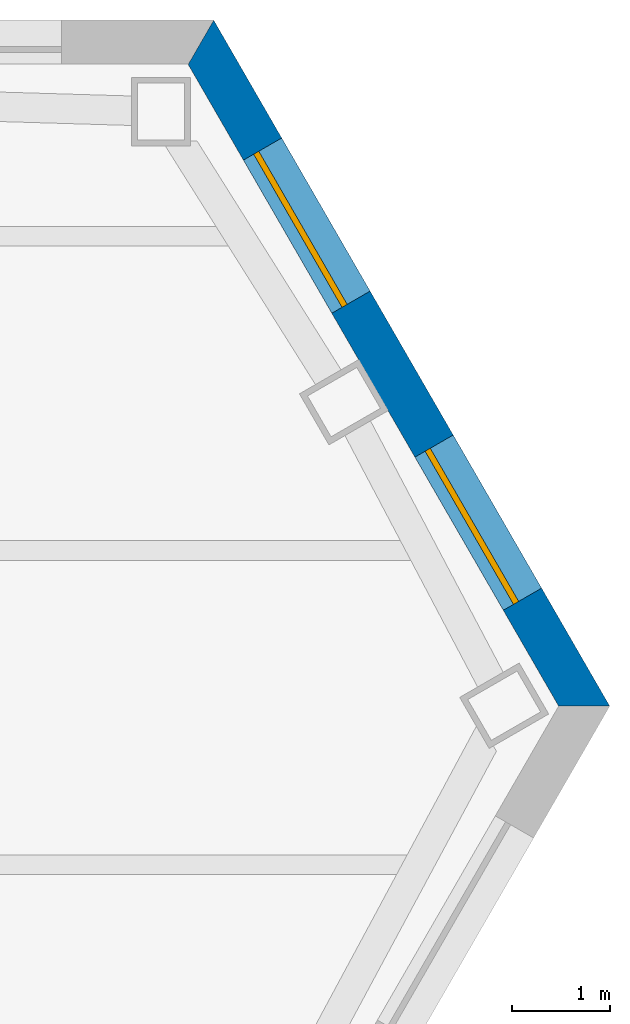
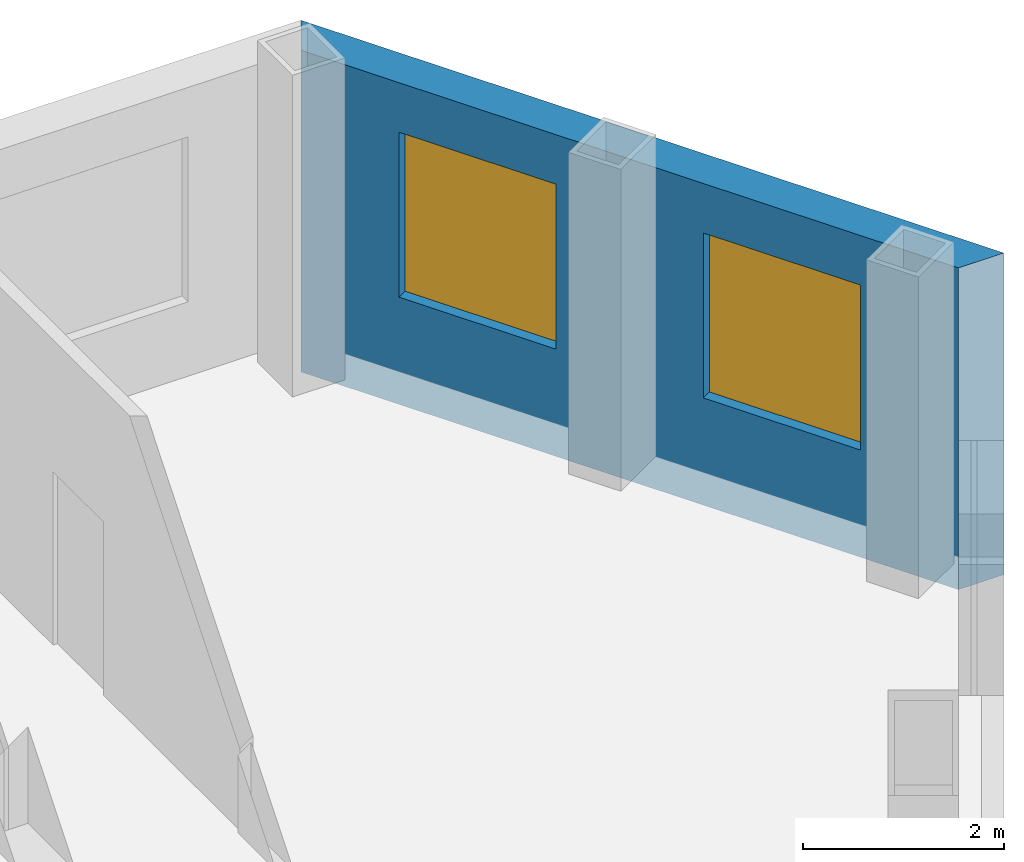
# One storey, part 8 of 11: 2 windows, 1 wall, 2 openings.
"""IFC4 building model written with IfcOpenShell, lengths in metres."""

import ifcopenshell
import ifcopenshell.guid

model = None  # the IFC model being written
_history = None  # IfcOwnerHistory: only IFC2X3 demands one
_inside = {}  # id of a spatial element -> (the spatial element, [elements in it])
_under = {}  # id of a project, library or spatial element -> (it, [spatial elements below it])
_declared = {}  # id of a project -> (the project, [libraries it declares])
_typed = {}  # id of a type object -> (the type object, [elements of that type])
_made_of = {}  # id of a material, layer set ... -> (it, [elements and type objects made of it])


def new_model(schema):
    """Start an empty IFC model of exactly this schema.

    Asked for "IFC4X3", IfcOpenShell would pick the latest addendum, in which some entities
    have other attributes; the version numbers below select the first issue.
    IFC2X3 requires an IfcOwnerHistory on every rooted entity: one is made here for all.
    """
    global model, _history
    if schema == "IFC4X3":
        model = ifcopenshell.file(schema_version=(4, 3, 0, 0))
    else:
        model = ifcopenshell.file(schema=schema)
    _inside.clear()
    _under.clear()
    _declared.clear()
    _typed.clear()
    _made_of.clear()
    _history = None
    if model.schema == "IFC2X3":
        org = make("IfcOrganization", Name="unknown")
        user = make(
            "IfcPersonAndOrganization",
            ThePerson=make("IfcPerson", FamilyName="unknown"),
            TheOrganization=org,
        )
        app = make(
            "IfcApplication",
            ApplicationDeveloper=org,
            Version="unknown",
            ApplicationFullName="unknown",
            ApplicationIdentifier="unknown",
        )
        _history = make(
            "IfcOwnerHistory",
            OwningUser=user,
            OwningApplication=app,
            ChangeAction="ADDED",
            CreationDate=0,
        )
    return model


def make(cls, **values):
    """One entity of the class cls with the attributes given. An attribute that is None is left unset."""
    return model.create_entity(
        cls, **{name: value for name, value in values.items() if value is not None}
    )


def rooted(cls, **values):
    """An entity with a GlobalId (a new one), such as an element, a storey or a relation."""
    return make(cls, GlobalId=ifcopenshell.guid.new(), OwnerHistory=_history, **values)


def si_unit(unit_type, name, prefix=None):
    """IfcSIUnit, for example si_unit("LENGTHUNIT", "METRE", prefix="MILLI")."""
    return make("IfcSIUnit", UnitType=unit_type, Prefix=prefix, Name=name)


def assignment(units):
    """IfcUnitAssignment: the units of a project."""
    return None if units is None else make("IfcUnitAssignment", Units=units)


def point(xyz):
    """IfcCartesianPoint."""
    return None if xyz is None else make("IfcCartesianPoint", Coordinates=xyz)


def direction(xyz):
    """IfcDirection."""
    return None if xyz is None else make("IfcDirection", DirectionRatios=xyz)


def frame(location, z_axis=None, x_axis=None):
    """IfcAxis2Placement3D, a coordinate frame: its origin and axes. An axis left out is left unset."""
    return make(
        "IfcAxis2Placement3D",
        Location=point(location),
        Axis=direction(z_axis),
        RefDirection=direction(x_axis),
    )


def frame_2d(location, x_axis=None):
    """IfcAxis2Placement2D, a coordinate frame in the plane: its origin and x axis."""
    return make(
        "IfcAxis2Placement2D", Location=point(location), RefDirection=direction(x_axis)
    )


def origin():
    """The frame at (0, 0, 0) with its axes left unset."""
    return frame((0.0, 0.0, 0.0))


def place(relative_to, where):
    """IfcLocalPlacement: puts the frame where relative to a parent placement (None: the world)."""
    return make(
        "IfcLocalPlacement", PlacementRelTo=relative_to, RelativePlacement=where
    )


def context(
    kind, dimensions, precision=None, world=None, true_north=None, identifier=None
):
    """IfcGeometricRepresentationContext, for example the 3D "Model" context."""
    return make(
        "IfcGeometricRepresentationContext",
        ContextIdentifier=identifier,
        ContextType=kind,
        CoordinateSpaceDimension=dimensions,
        Precision=precision,
        WorldCoordinateSystem=world,
        TrueNorth=true_north,
    )


def subcontext(parent, identifier, kind, view, scale=None):
    """IfcGeometricRepresentationSubContext, for example "Body" below "Model"."""
    return make(
        "IfcGeometricRepresentationSubContext",
        ContextIdentifier=identifier,
        ContextType=kind,
        ParentContext=parent,
        TargetScale=scale,
        TargetView=view,
    )


def project(units=None, contexts=None):
    """IfcProject with its units and contexts."""
    return rooted(
        "IfcProject",
        Name="project",
        RepresentationContexts=contexts,
        UnitsInContext=assignment(units),
    )


def spatial(cls, under=None, at=None, **own):
    """A site, building, storey or space (cls), placed at a placement, below another one or the project."""
    s = rooted(cls, ObjectPlacement=at, **own)
    if under is not None:
        _under.setdefault(under.id(), (under, []))[1].append(s)
    return s


def polyline(points):
    """IfcPolyline through the points."""
    return make("IfcPolyline", Points=[point(p) for p in points])


def profile(cls, at=None, kind="AREA", **sizes):
    """A parametric profile (cls). Its sizes go by their IFC names, for example OverallWidth=200.0."""
    return make(cls, ProfileType=kind, Position=at, **sizes)


def rectangle(**sizes):
    """IfcRectangleProfileDef."""
    return profile("IfcRectangleProfileDef", **sizes)


def outline(outer, holes=None, kind="AREA"):
    """IfcArbitraryClosedProfileDef: a profile drawn as a closed curve; with holes, ...WithVoids."""
    if holes is None:
        return make("IfcArbitraryClosedProfileDef", ProfileType=kind, OuterCurve=outer)
    return make(
        "IfcArbitraryProfileDefWithVoids",
        ProfileType=kind,
        OuterCurve=outer,
        InnerCurves=holes,
    )


def extrude(swept, where, along, depth):
    """IfcExtrudedAreaSolid: the profile swept, set in the frame where, extruded along a direction by depth."""
    return make(
        "IfcExtrudedAreaSolid",
        SweptArea=swept,
        Position=where,
        ExtrudedDirection=direction(along),
        Depth=depth,
    )


def shape(context_of_items, identifier, shape_type, items):
    """IfcShapeRepresentation: the items that make up one representation, for example the "Body"."""
    return make(
        "IfcShapeRepresentation",
        ContextOfItems=context_of_items,
        RepresentationIdentifier=identifier,
        RepresentationType=shape_type,
        Items=items,
    )


def material(Name=None, Category=None):
    """IfcMaterial."""
    return make("IfcMaterial", Name=Name, Category=Category)


def layer(
    of_material, thickness, ventilated=None, Name=None, Category=None, Priority=None
):
    """IfcMaterialLayer: one layer of a wall or slab, of a material (None: an air gap)."""
    return make(
        "IfcMaterialLayer",
        Material=of_material,
        LayerThickness=thickness,
        IsVentilated=ventilated,
        Name=Name,
        Category=Category,
        Priority=Priority,
    )


def layer_set(layers, Name=None):
    """IfcMaterialLayerSet."""
    return make("IfcMaterialLayerSet", MaterialLayers=layers, LayerSetName=Name)


def made_of(thing, what):
    """Note that an element or type object is made of a material, layer set ...; save() writes the relation."""
    if what is not None:
        _made_of.setdefault(what.id(), (what, []))[1].append(thing)
    return thing


def type_object(cls, material=None, **own):
    """A type object (cls), such as IfcWallType, which elements share."""
    return made_of(rooted(cls, **own), material)


def element(
    cls,
    number,
    at=None,
    inside=None,
    cuts=None,
    type_object=None,
    material=None,
    context=None,
    identifier="Body",
    shape_type=None,
    held_by="IfcProductDefinitionShape",
    body=None,
    shapes=None,
    **own,
):
    """One element of the class cls, such as IfcWall. Its Tag is "e" and its number.

    at: its placement. inside: the storey or other place that contains it. cuts: it is an
    opening in that element (IfcRelVoidsElement). A single representation is given by context,
    identifier, shape_type and body (its items); several are given by shapes. held_by: the class
    of the entity that holds the representations. save() writes the other relations.
    """
    e = rooted(cls, Tag="e%d" % number, ObjectPlacement=at, **own)
    if body is not None:
        shapes = [shape(context, identifier, shape_type, body)]
    if shapes is not None:
        e.Representation = make(held_by, Representations=shapes)
    if inside is not None:
        _inside.setdefault(inside.id(), (inside, []))[1].append(e)
    if cuts is not None:
        rooted(
            "IfcRelVoidsElement", RelatingBuildingElement=cuts, RelatedOpeningElement=e
        )
    if type_object is not None:
        _typed.setdefault(type_object.id(), (type_object, []))[1].append(e)
    return made_of(e, material)


def fill(opening, filler):
    """IfcRelFillsElement: the door or window that sits in an opening."""
    return rooted(
        "IfcRelFillsElement",
        RelatingOpeningElement=opening,
        RelatedBuildingElement=filler,
    )


def aggregate(whole, parts):
    """IfcRelAggregates: a whole, such as a stair, and the parts it consists of."""
    return rooted("IfcRelAggregates", RelatingObject=whole, RelatedObjects=parts)


def save(model, path):
    """Write the relations noted so far, then the file.

    IfcRelAggregates (storeys below a building ...), IfcRelContainedInSpatialStructure (elements
    in a storey), IfcRelDefinesByType, IfcRelAssociatesMaterial and IfcRelDeclares: one each for
    every whole, place, type object, material and project.
    """
    for whole, parts in _under.values():
        aggregate(whole, parts)
    for where, things in _inside.values():
        rooted(
            "IfcRelContainedInSpatialStructure",
            RelatedElements=things,
            RelatingStructure=where,
        )
    for kind, things in _typed.values():
        rooted("IfcRelDefinesByType", RelatedObjects=things, RelatingType=kind)
    for what, things in _made_of.values():
        rooted("IfcRelAssociatesMaterial", RelatedObjects=things, RelatingMaterial=what)
    for by, libraries in _declared.values():
        rooted("IfcRelDeclares", RelatingContext=by, RelatedDefinitions=libraries)
    model.write(path)


model = new_model("IFC4")

# Units and contexts
model_context = context("Model", 3, precision=1e-05, world=origin(), true_north=direction((0.0, 1.0)))
body_context = subcontext(model_context, "Body", "Model", "MODEL_VIEW")
ifc_project = project(units=[si_unit("LENGTHUNIT", "METRE"), si_unit("AREAUNIT", "SQUARE_METRE"), si_unit("VOLUMEUNIT", "CUBIC_METRE"), si_unit("PLANEANGLEUNIT", "RADIAN"), si_unit("MASSUNIT", "GRAM", prefix="KILO")], contexts=[model_context])

# Site, building, storey
site_placement = place(None, origin())
site = spatial("IfcSite", under=ifc_project, at=site_placement, CompositionType="ELEMENT")
building_placement = place(site_placement, origin())
building = spatial("IfcBuilding", under=site, at=building_placement, Name="Njiva Tower", CompositionType="ELEMENT")
storey_placement = place(building_placement, frame((0.0, 0.0, 178.8)))
storey = spatial("IfcBuildingStorey", under=building, at=storey_placement, Name="L39", CompositionType="ELEMENT", Elevation=178.8)

# Wall, openings, windows
ifc_material_1 = material(Name="Brick masonry, buff", Category="masonry")
ifc_layer = layer(ifc_material_1, 0.45)
ifc_layer_set = layer_set([ifc_layer], Name="Brick masonry, buff")
wall_type = type_object("IfcWallType", Name="WT94 Brick pier and spandrel wall 450, buff", PredefinedType="SOLIDWALL", material=ifc_layer_set)
wall_placement = place(storey_placement, frame((26.7714, 13.2177, -0.4), z_axis=(0.0, 0.0, 1.0), x_axis=(-0.500003961136, 0.86602311681, 0.0)))
wall = element("IfcWall", 1, at=wall_placement, inside=storey, type_object=wall_type, Name="Facade wall NE", PredefinedType="SOLIDWALL", context=body_context, shape_type="SweptSolid", body=[
    extrude(outline(polyline([(-0.1299, -0.225), (7.93, -0.225), (7.6702, 0.225), (0.1299, 0.225), (-0.1299, -0.225)])), origin(), (0.0, 0.0, 1.0), 3.9),
])
opening_1_placement = place(wall_placement, frame((1.2544, 0.0, 1.3)))
opening_1 = element("IfcOpeningElement", 2, at=opening_1_placement, cuts=wall, Name="Opening S13-W32", PredefinedType="OPENING", context=body_context, shape_type="SweptSolid", body=[
    extrude(rectangle(XDim=1.8, YDim=2.0, at=frame_2d((0.9, 1.0))), frame((0.0, 0.235, 0.0), z_axis=(0.0, -1.0, 0.0), x_axis=(1.0, 0.0, 0.0)), (0.0, 0.0, 1.0), 0.47),
])
opening_2_placement = place(wall_placement, frame((4.7457, 0.0, 1.3)))
opening_2 = element("IfcOpeningElement", 3, at=opening_2_placement, cuts=wall, Name="Opening S13-W33", PredefinedType="OPENING", context=body_context, shape_type="SweptSolid", body=[
    extrude(rectangle(XDim=1.8, YDim=2.0, at=frame_2d((0.9, 1.0))), frame((0.0, 0.235, 0.0), z_axis=(0.0, -1.0, 0.0), x_axis=(1.0, 0.0, 0.0)), (0.0, 0.0, 1.0), 0.47),
])
ifc_material_2 = material(Name="Clear glazing in aluminium frame", Category="aluminium")
window_type = type_object("IfcWindowType", Name="W94 Deep-set window 1800x2000", PartitioningType="SINGLE_PANEL", PredefinedType="WINDOW", material=ifc_material_2)
window_1_placement = place(opening_1_placement, origin())
window_1 = element("IfcWindow", 4, at=window_1_placement, inside=storey, type_object=window_type, Name="Window", OverallHeight=2.0, OverallWidth=1.8, PartitioningType="SINGLE_PANEL", PredefinedType="WINDOW", context=body_context, shape_type="SweptSolid", body=[
    extrude(rectangle(XDim=1.8, YDim=2.0, at=frame_2d((0.9, 1.0))), frame((0.0, 0.105, 0.0), z_axis=(0.0, -1.0, 0.0), x_axis=(1.0, 0.0, 0.0)), (0.0, 0.0, 1.0), 0.06),
])
fill(opening_1, window_1)
window_2_placement = place(opening_2_placement, origin())
window_2 = element("IfcWindow", 5, at=window_2_placement, inside=storey, type_object=window_type, Name="Window", OverallHeight=2.0, OverallWidth=1.8, PartitioningType="SINGLE_PANEL", PredefinedType="WINDOW", context=body_context, shape_type="SweptSolid", body=[
    extrude(rectangle(XDim=1.8, YDim=2.0, at=frame_2d((0.9, 1.0))), frame((0.0, 0.105, 0.0), z_axis=(0.0, -1.0, 0.0), x_axis=(1.0, 0.0, 0.0)), (0.0, 0.0, 1.0), 0.06),
])
fill(opening_2, window_2)

save(model, "model.ifc")
